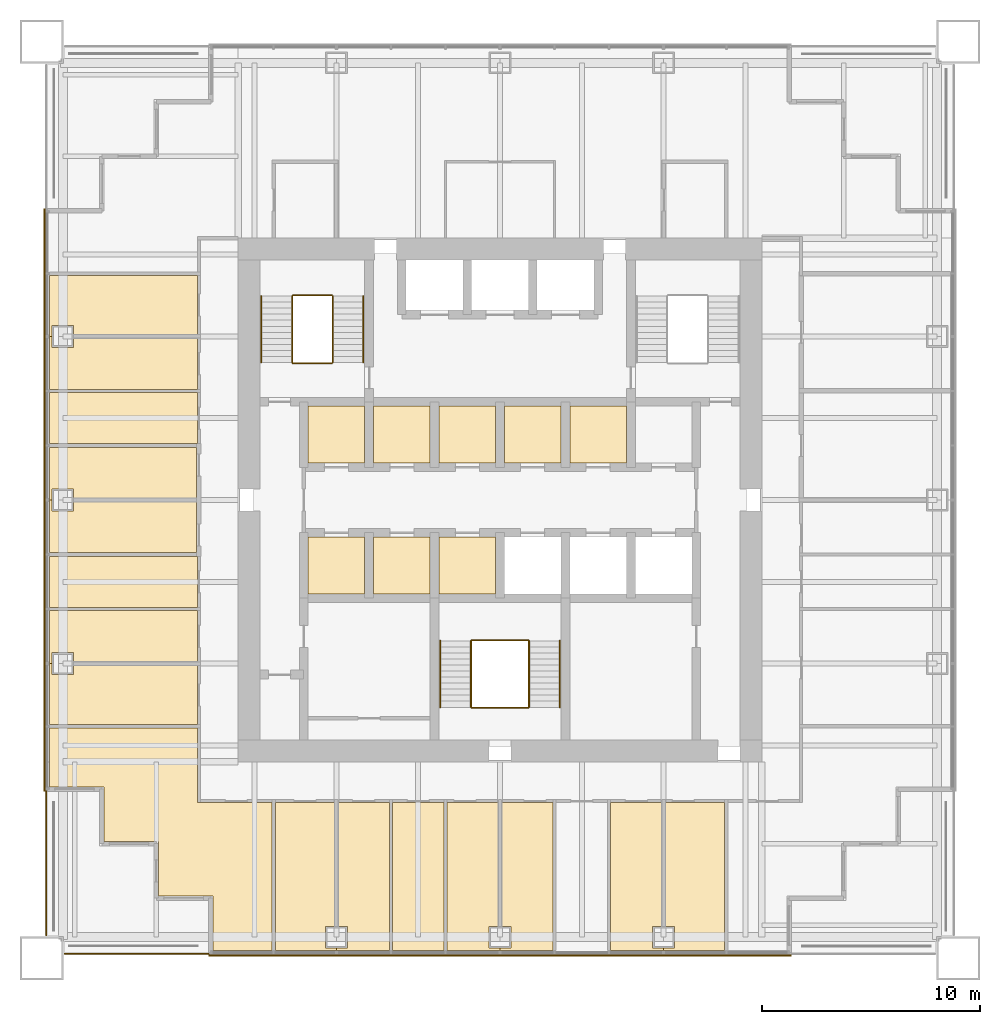
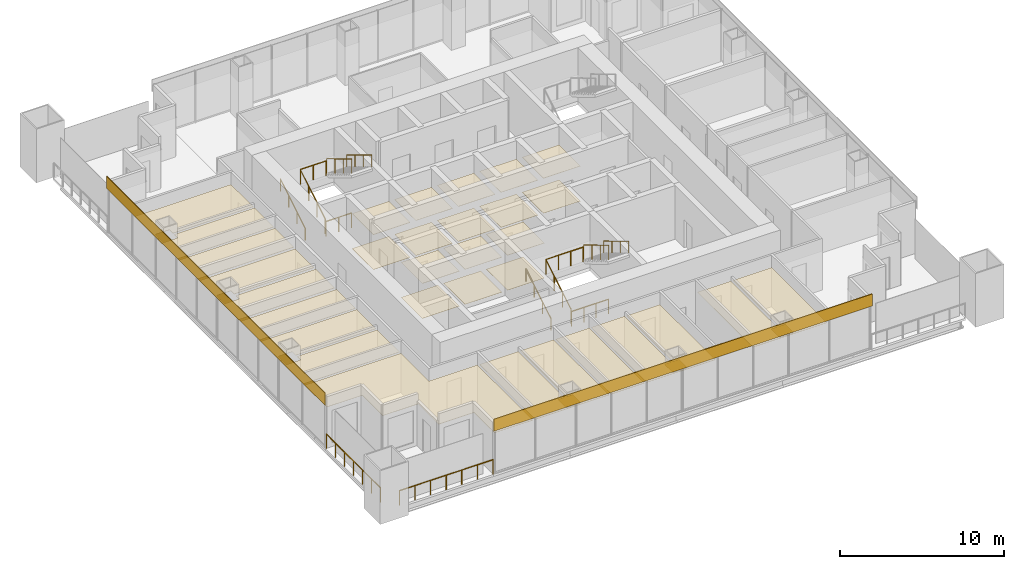
# One storey, part 14 of 15: 34 coverings, 14 railings.
"""IFC4 building model written with IfcOpenShell, lengths in metres."""

from ifc_helpers import new_model, si_unit, direction, frame, origin, origin_2d, place, context, subcontext, project, spatial, polyline, rectangle, circle, outline, extrude, material, layer, layer_set, type_object, element, save


model = new_model("IFC4")

# Units and contexts
model_context = context("Model", 3, precision=1e-05, world=origin(), true_north=direction((0.0, 1.0)))
body_context = subcontext(model_context, "Body", "Model", "MODEL_VIEW")
ifc_project = project(units=[si_unit("LENGTHUNIT", "METRE"), si_unit("AREAUNIT", "SQUARE_METRE"), si_unit("VOLUMEUNIT", "CUBIC_METRE"), si_unit("PLANEANGLEUNIT", "RADIAN"), si_unit("MASSUNIT", "GRAM", prefix="KILO")], contexts=[model_context])

# Site, building, storey
site_placement = place(None, origin())
site = spatial("IfcSite", under=ifc_project, at=site_placement, CompositionType="ELEMENT")
building_placement = place(site_placement, origin())
building = spatial("IfcBuilding", under=site, at=building_placement, Name="Tarangal Relay Tower", CompositionType="ELEMENT")
storey_placement = place(building_placement, frame((0.0, 0.0, 299.89990234375)))
storey = spatial("IfcBuildingStorey", under=building, at=storey_placement, Name="L66", CompositionType="ELEMENT", Elevation=299.89990234375)

# Coverings
ifc_material_1 = material(Name="Anti-static vinyl flooring", Category="plastic")
ifc_layer_1 = layer(ifc_material_1, 0.010009765625)
ifc_layer_set_1 = layer_set([ifc_layer_1], Name="Anti-static vinyl floor")
covering_type_1 = type_object("IfcCoveringType", Name="Anti-static vinyl floor", PredefinedType="FLOORING", material=ifc_layer_set_1)
covering_1_placement = place(storey_placement, origin())
element("IfcCovering", 1, at=covering_1_placement, inside=storey, type_object=covering_type_1, Name="Floor finish FL1 L66-D1", PredefinedType="FLOORING", context=body_context, shape_type="SweptSolid", body=[
    extrude(outline(polyline([(-8.800048828125, 1.699951171875), (-6.199951171875, 1.699951171875), (-6.199951171875, 4.300048828125), (-8.800048828125, 4.300048828125), (-8.800048828125, 1.699951171875)])), origin(), (0.0, 0.0, 1.0), 0.010009765625),
])
covering_2_placement = place(storey_placement, origin())
element("IfcCovering", 2, at=covering_2_placement, inside=storey, type_object=covering_type_1, Name="Floor finish FL1 L66-D2", PredefinedType="FLOORING", context=body_context, shape_type="SweptSolid", body=[
    extrude(outline(polyline([(-5.800048828125, 1.699951171875), (-3.199951171875, 1.699951171875), (-3.199951171875, 4.300048828125), (-5.800048828125, 4.300048828125), (-5.800048828125, 1.699951171875)])), origin(), (0.0, 0.0, 1.0), 0.010009765625),
])
covering_3_placement = place(storey_placement, origin())
element("IfcCovering", 3, at=covering_3_placement, inside=storey, type_object=covering_type_1, Name="Floor finish FL1 L66-D3", PredefinedType="FLOORING", context=body_context, shape_type="SweptSolid", body=[
    extrude(outline(polyline([(-2.800048828125, 1.699951171875), (-0.199951171875, 1.699951171875), (-0.199951171875, 4.300048828125), (-2.800048828125, 4.300048828125), (-2.800048828125, 1.699951171875)])), origin(), (0.0, 0.0, 1.0), 0.010009765625),
])
covering_4_placement = place(storey_placement, origin())
element("IfcCovering", 4, at=covering_4_placement, inside=storey, type_object=covering_type_1, Name="Floor finish FL1 L66-T1", PredefinedType="FLOORING", context=body_context, shape_type="SweptSolid", body=[
    extrude(outline(polyline([(0.199951171875, 1.699951171875), (2.800048828125, 1.699951171875), (2.800048828125, 4.300048828125), (0.199951171875, 4.300048828125), (0.199951171875, 1.699951171875)])), origin(), (0.0, 0.0, 1.0), 0.010009765625),
])
covering_5_placement = place(storey_placement, origin())
element("IfcCovering", 5, at=covering_5_placement, inside=storey, type_object=covering_type_1, Name="Floor finish FL1 L66-T2", PredefinedType="FLOORING", context=body_context, shape_type="SweptSolid", body=[
    extrude(outline(polyline([(3.199951171875, 1.699951171875), (5.800048828125, 1.699951171875), (5.800048828125, 4.300048828125), (3.199951171875, 4.300048828125), (3.199951171875, 1.699951171875)])), origin(), (0.0, 0.0, 1.0), 0.010009765625),
])
covering_6_placement = place(storey_placement, origin())
element("IfcCovering", 6, at=covering_6_placement, inside=storey, type_object=covering_type_1, Name="Floor finish FL1 L66-S1", PredefinedType="FLOORING", context=body_context, shape_type="SweptSolid", body=[
    extrude(outline(polyline([(-8.800048828125, -4.300048828125), (-6.199951171875, -4.300048828125), (-6.199951171875, -1.699951171875), (-8.800048828125, -1.699951171875), (-8.800048828125, -4.300048828125)])), origin(), (0.0, 0.0, 1.0), 0.010009765625),
])
covering_7_placement = place(storey_placement, origin())
element("IfcCovering", 7, at=covering_7_placement, inside=storey, type_object=covering_type_1, Name="Floor finish FL1 L66-S2", PredefinedType="FLOORING", context=body_context, shape_type="SweptSolid", body=[
    extrude(outline(polyline([(-5.800048828125, -4.300048828125), (-3.199951171875, -4.300048828125), (-3.199951171875, -1.699951171875), (-5.800048828125, -1.699951171875), (-5.800048828125, -4.300048828125)])), origin(), (0.0, 0.0, 1.0), 0.010009765625),
])
covering_8_placement = place(storey_placement, origin())
element("IfcCovering", 8, at=covering_8_placement, inside=storey, type_object=covering_type_1, Name="Floor finish FL1 L66-S3", PredefinedType="FLOORING", context=body_context, shape_type="SweptSolid", body=[
    extrude(outline(polyline([(-2.800048828125, -4.300048828125), (-0.199951171875, -4.300048828125), (-0.199951171875, -1.699951171875), (-2.800048828125, -1.699951171875), (-2.800048828125, -4.300048828125)])), origin(), (0.0, 0.0, 1.0), 0.010009765625),
])
ifc_material_2 = material(Name="Black anodised aluminium cladding", Category="aluminium")
ifc_layer_2 = layer(ifc_material_2, 0.050048828125)
ifc_layer_set_2 = layer_set([ifc_layer_2], Name="Black metal spandrel band")
covering_type_2 = type_object("IfcCoveringType", Name="Black metal spandrel band", PredefinedType="CLADDING", material=ifc_layer_set_2)
for number, where, z_axis, x_axis, name in (
    (9, (0.0, -20.875, 3.250244140625), (0.0, 0.0, 1.0), (-1.0, 0.0, 0.0), "Spandrel band SB1 S L66"),
    (10, (-20.875, 0.0, 3.250244140625), (0.0, 0.0, 1.0), (0.0, 1.0, 0.0), "Spandrel band SB1 W L66"),
):
    element("IfcCovering", number, at=place(storey_placement, frame(where, z_axis=z_axis, x_axis=x_axis)), inside=storey, type_object=covering_type_2, Name=name, PredefinedType="CLADDING", context=body_context, shape_type="SweptSolid", body=[
        extrude(rectangle(XDim=26.699951171875, YDim=0.050048828125, at=origin_2d()), origin(), (0.0, 0.0, 1.0), 0.89990234375),
    ])

# Railings
ifc_material_3 = material(Name="Steel guard, black finish", Category="steel")
railing_type_1 = type_object("IfcRailingType", Name="Stair guard 1100", PredefinedType="GUARDRAIL", material=ifc_material_3)
railing_1_placement = place(storey_placement, frame((-9.530029296875, 6.300048828125, 0.166748046875)))
element("IfcRailing", 11, at=railing_1_placement, inside=storey, type_object=railing_type_1, Name="Stair ST-A guard GR1 L66 flight 1", PredefinedType="GUARDRAIL", context=body_context, shape_type="SweptSolid", body=[
    extrude(circle(Radius=0.02392578125, at=origin_2d()), frame((0.0, 0.0, 1.076171875), z_axis=(0.0, 0.85685617095, 0.515555527858), x_axis=(-1.0, 0.0, 0.0)), (0.0, 0.0, 1.0), 3.555908203125),
    extrude(circle(Radius=0.02099609375, at=origin_2d()), origin(), (0.0, 0.0, 1.0), 1.052001953125),
    extrude(circle(Radius=0.02099609375, at=origin_2d()), frame((0.0, 1.015625, 0.611083984375)), (0.0, 0.0, 1.0), 1.052001953125),
    extrude(circle(Radius=0.02099609375, at=origin_2d()), frame((0.0, 2.03125, 1.22216796875)), (0.0, 0.0, 1.0), 1.052001953125),
    extrude(circle(Radius=0.02099609375, at=origin_2d()), frame((0.0, 3.046875, 1.833251953125)), (0.0, 0.0, 1.0), 1.052001953125),
])
railing_2_placement = place(storey_placement, frame((-7.669921875, 9.346923828125, 2.166748046875)))
element("IfcRailing", 12, at=railing_2_placement, inside=storey, type_object=railing_type_1, Name="Stair ST-A guard GR1 L66 flight 2", PredefinedType="GUARDRAIL", context=body_context, shape_type="SweptSolid", body=[
    extrude(circle(Radius=0.02392578125, at=origin_2d()), frame((0.0, 0.0, 1.076171875), z_axis=(0.0, -0.85685617095, 0.515555527858), x_axis=(1.0, 0.0, 0.0)), (0.0, 0.0, 1.0), 3.555908203125),
    extrude(circle(Radius=0.02099609375, at=origin_2d()), origin(), (0.0, 0.0, 1.0), 1.052001953125),
    extrude(circle(Radius=0.02099609375, at=origin_2d()), frame((0.0, -1.015625, 0.611083984375)), (0.0, 0.0, 1.0), 1.052001953125),
    extrude(circle(Radius=0.02099609375, at=origin_2d()), frame((0.0, -2.03125, 1.22216796875)), (0.0, 0.0, 1.0), 1.052001953125),
    extrude(circle(Radius=0.02099609375, at=origin_2d()), frame((0.0, -3.046875, 1.833251953125)), (0.0, 0.0, 1.0), 1.052001953125),
])
for number, where, name in (
    (13, (-9.5, 6.27001953125, 0.0), "Stair ST-A landing guard GR1 L66"),
    (14, (-9.5, 9.376953125, 2.0), "Stair ST-A landing guard GR1 L66"),
):
    element("IfcRailing", number, at=place(storey_placement, frame(where)), inside=storey, type_object=railing_type_1, Name=name, PredefinedType="GUARDRAIL", context=body_context, shape_type="SweptSolid", body=[
        extrude(circle(Radius=0.02392578125, at=origin_2d()), frame((0.0, 0.0, 1.076171875), z_axis=(1.0, 0.0, 0.0), x_axis=(0.0, 1.0, 0.0)), (0.0, 0.0, 1.0), 1.800048828125),
        extrude(circle(Radius=0.02099609375, at=origin_2d()), origin(), (0.0, 0.0, 1.0), 1.052001953125),
        extrude(circle(Radius=0.02099609375, at=origin_2d()), frame((0.89990234375, 0.0, 0.0)), (0.0, 0.0, 1.0), 1.052001953125),
        extrude(circle(Radius=0.02099609375, at=origin_2d()), frame((1.800048828125, 0.0, 0.0)), (0.0, 0.0, 1.0), 1.052001953125),
    ])
railing_3_placement = place(storey_placement, frame((-1.330078125, -9.5, 0.166748046875)))
element("IfcRailing", 15, at=railing_3_placement, inside=storey, type_object=railing_type_1, Name="Stair ST-C guard GR1 L66 flight 1", PredefinedType="GUARDRAIL", context=body_context, shape_type="SweptSolid", body=[
    extrude(circle(Radius=0.02392578125, at=origin_2d()), frame((0.0, 0.0, 1.076171875), z_axis=(0.0, 0.856874418557, 0.515525199018), x_axis=(-1.0, 0.0, 0.0)), (0.0, 0.0, 1.0), 3.55615234375),
    extrude(circle(Radius=0.02099609375, at=origin_2d()), origin(), (0.0, 0.0, 1.0), 1.052001953125),
    extrude(circle(Radius=0.02099609375, at=origin_2d()), frame((0.0, 1.015625, 0.611083984375)), (0.0, 0.0, 1.0), 1.052001953125),
    extrude(circle(Radius=0.02099609375, at=origin_2d()), frame((0.0, 2.031494140625, 1.22216796875)), (0.0, 0.0, 1.0), 1.052001953125),
    extrude(circle(Radius=0.02099609375, at=origin_2d()), frame((0.0, 3.047119140625, 1.833251953125)), (0.0, 0.0, 1.0), 1.052001953125),
])
railing_4_placement = place(storey_placement, frame((1.330078125, -6.452880859375, 2.166748046875)))
element("IfcRailing", 16, at=railing_4_placement, inside=storey, type_object=railing_type_1, Name="Stair ST-C guard GR1 L66 flight 2", PredefinedType="GUARDRAIL", context=body_context, shape_type="SweptSolid", body=[
    extrude(circle(Radius=0.02392578125, at=origin_2d()), frame((0.0, 0.0, 1.076171875), z_axis=(0.0, -0.856874418557, 0.515525199018), x_axis=(1.0, 0.0, 0.0)), (0.0, 0.0, 1.0), 3.55615234375),
    extrude(circle(Radius=0.02099609375, at=origin_2d()), origin(), (0.0, 0.0, 1.0), 1.052001953125),
    extrude(circle(Radius=0.02099609375, at=origin_2d()), frame((0.0, -1.015625, 0.611083984375)), (0.0, 0.0, 1.0), 1.052001953125),
    extrude(circle(Radius=0.02099609375, at=origin_2d()), frame((0.0, -2.031494140625, 1.22216796875)), (0.0, 0.0, 1.0), 1.052001953125),
    extrude(circle(Radius=0.02099609375, at=origin_2d()), frame((0.0, -3.047119140625, 1.833251953125)), (0.0, 0.0, 1.0), 1.052001953125),
])
for number, where, name in (
    (17, (-1.300048828125, -9.530029296875, 0.0), "Stair ST-C landing guard GR1 L66"),
    (18, (-1.300048828125, -6.423095703125, 2.0), "Stair ST-C landing guard GR1 L66"),
):
    element("IfcRailing", number, at=place(storey_placement, frame(where)), inside=storey, type_object=railing_type_1, Name=name, PredefinedType="GUARDRAIL", context=body_context, shape_type="SweptSolid", body=[
        extrude(circle(Radius=0.02392578125, at=origin_2d()), frame((0.0, 0.0, 1.076171875), z_axis=(1.0, 0.0, 0.0), x_axis=(0.0, 1.0, 0.0)), (0.0, 0.0, 1.0), 2.60009765625),
        extrude(circle(Radius=0.02099609375, at=origin_2d()), origin(), (0.0, 0.0, 1.0), 1.052001953125),
        extrude(circle(Radius=0.02099609375, at=origin_2d()), frame((0.86669921875, 0.0, 0.0)), (0.0, 0.0, 1.0), 1.052001953125),
        extrude(circle(Radius=0.02099609375, at=origin_2d()), frame((1.7333984375, 0.0, 0.0)), (0.0, 0.0, 1.0), 1.052001953125),
        extrude(circle(Radius=0.02099609375, at=origin_2d()), frame((2.60009765625, 0.0, 0.0)), (0.0, 0.0, 1.0), 1.052001953125),
    ])
ifc_material_4 = material(Name="Steel handrail, black finish", Category="steel")
railing_type_2 = type_object("IfcRailingType", Name="Stair handrail 900", PredefinedType="HANDRAIL", material=ifc_material_4)
railing_5_placement = place(storey_placement, frame((-10.93994140625, 6.300048828125, 0.166748046875)))
element("IfcRailing", 19, at=railing_5_placement, inside=storey, type_object=railing_type_2, Name="Stair ST-A handrail HR1 L66 flight 1", PredefinedType="HANDRAIL", context=body_context, shape_type="SweptSolid", body=[
    extrude(circle(Radius=0.02392578125, at=origin_2d()), frame((0.0, 0.0, 0.8759765625), z_axis=(0.0, 0.85685617095, 0.515555527858), x_axis=(-1.0, 0.0, 0.0)), (0.0, 0.0, 1.0), 3.555908203125),
    extrude(circle(Radius=0.02099609375, at=origin_2d()), origin(), (0.0, 0.0, 1.0), 0.851806640625),
    extrude(circle(Radius=0.02099609375, at=origin_2d()), frame((0.0, 1.015625, 0.611083984375)), (0.0, 0.0, 1.0), 0.851806640625),
    extrude(circle(Radius=0.02099609375, at=origin_2d()), frame((0.0, 2.03125, 1.22216796875)), (0.0, 0.0, 1.0), 0.851806640625),
    extrude(circle(Radius=0.02099609375, at=origin_2d()), frame((0.0, 3.046875, 1.833251953125)), (0.0, 0.0, 1.0), 0.851806640625),
])
railing_6_placement = place(storey_placement, frame((-6.260009765625, 9.346923828125, 2.166748046875)))
element("IfcRailing", 20, at=railing_6_placement, inside=storey, type_object=railing_type_2, Name="Stair ST-A handrail HR1 L66 flight 2", PredefinedType="HANDRAIL", context=body_context, shape_type="SweptSolid", body=[
    extrude(circle(Radius=0.02392578125, at=origin_2d()), frame((0.0, 0.0, 0.8759765625), z_axis=(0.0, -0.85685617095, 0.515555527858), x_axis=(1.0, 0.0, 0.0)), (0.0, 0.0, 1.0), 3.555908203125),
    extrude(circle(Radius=0.02099609375, at=origin_2d()), origin(), (0.0, 0.0, 1.0), 0.851806640625),
    extrude(circle(Radius=0.02099609375, at=origin_2d()), frame((0.0, -1.015625, 0.611083984375)), (0.0, 0.0, 1.0), 0.851806640625),
    extrude(circle(Radius=0.02099609375, at=origin_2d()), frame((0.0, -2.03125, 1.22216796875)), (0.0, 0.0, 1.0), 0.851806640625),
    extrude(circle(Radius=0.02099609375, at=origin_2d()), frame((0.0, -3.046875, 1.833251953125)), (0.0, 0.0, 1.0), 0.851806640625),
])
railing_7_placement = place(storey_placement, frame((-2.739990234375, -9.5, 0.166748046875)))
element("IfcRailing", 21, at=railing_7_placement, inside=storey, type_object=railing_type_2, Name="Stair ST-C handrail HR1 L66 flight 1", PredefinedType="HANDRAIL", context=body_context, shape_type="SweptSolid", body=[
    extrude(circle(Radius=0.02392578125, at=origin_2d()), frame((0.0, 0.0, 0.8759765625), z_axis=(0.0, 0.856874418557, 0.515525199018), x_axis=(-1.0, 0.0, 0.0)), (0.0, 0.0, 1.0), 3.55615234375),
    extrude(circle(Radius=0.02099609375, at=origin_2d()), origin(), (0.0, 0.0, 1.0), 0.851806640625),
    extrude(circle(Radius=0.02099609375, at=origin_2d()), frame((0.0, 1.015625, 0.611083984375)), (0.0, 0.0, 1.0), 0.851806640625),
    extrude(circle(Radius=0.02099609375, at=origin_2d()), frame((0.0, 2.031494140625, 1.22216796875)), (0.0, 0.0, 1.0), 0.851806640625),
    extrude(circle(Radius=0.02099609375, at=origin_2d()), frame((0.0, 3.047119140625, 1.833251953125)), (0.0, 0.0, 1.0), 0.851806640625),
])
railing_8_placement = place(storey_placement, frame((2.739990234375, -6.452880859375, 2.166748046875)))
element("IfcRailing", 22, at=railing_8_placement, inside=storey, type_object=railing_type_2, Name="Stair ST-C handrail HR1 L66 flight 2", PredefinedType="HANDRAIL", context=body_context, shape_type="SweptSolid", body=[
    extrude(circle(Radius=0.02392578125, at=origin_2d()), frame((0.0, 0.0, 0.8759765625), z_axis=(0.0, -0.856874418557, 0.515525199018), x_axis=(1.0, 0.0, 0.0)), (0.0, 0.0, 1.0), 3.55615234375),
    extrude(circle(Radius=0.02099609375, at=origin_2d()), origin(), (0.0, 0.0, 1.0), 0.851806640625),
    extrude(circle(Radius=0.02099609375, at=origin_2d()), frame((0.0, -1.015625, 0.611083984375)), (0.0, 0.0, 1.0), 0.851806640625),
    extrude(circle(Radius=0.02099609375, at=origin_2d()), frame((0.0, -2.031494140625, 1.22216796875)), (0.0, 0.0, 1.0), 0.851806640625),
    extrude(circle(Radius=0.02099609375, at=origin_2d()), frame((0.0, -3.047119140625, 1.833251953125)), (0.0, 0.0, 1.0), 0.851806640625),
])

# Coverings
ifc_material_5 = material(Name="Mineral fibre ceiling tiles", Category="gypsum")
ifc_layer_3 = layer(ifc_material_5, 0.02001953125)
ifc_layer_set_3 = layer_set([ifc_layer_3], Name="Suspended ceiling")
covering_type_3 = type_object("IfcCoveringType", Name="Suspended ceiling", PredefinedType="CEILING", material=ifc_layer_set_3)
covering_9_placement = place(storey_placement, frame((0.0, 0.0, 2.60009765625)))
element("IfcCovering", 23, at=covering_9_placement, inside=storey, type_object=covering_type_3, Name="Suspended ceiling CL1 L66-D1", PredefinedType="CEILING", context=body_context, shape_type="SweptSolid", body=[
    extrude(outline(polyline([(-8.800048828125, 1.699951171875), (-6.199951171875, 1.699951171875), (-6.199951171875, 4.300048828125), (-8.800048828125, 4.300048828125), (-8.800048828125, 1.699951171875)])), origin(), (0.0, 0.0, 1.0), 0.02001953125),
])
covering_10_placement = place(storey_placement, frame((0.0, 0.0, 2.60009765625)))
element("IfcCovering", 24, at=covering_10_placement, inside=storey, type_object=covering_type_3, Name="Suspended ceiling CL1 L66-D2", PredefinedType="CEILING", context=body_context, shape_type="SweptSolid", body=[
    extrude(outline(polyline([(-5.800048828125, 1.699951171875), (-3.199951171875, 1.699951171875), (-3.199951171875, 4.300048828125), (-5.800048828125, 4.300048828125), (-5.800048828125, 1.699951171875)])), origin(), (0.0, 0.0, 1.0), 0.02001953125),
])
covering_11_placement = place(storey_placement, frame((0.0, 0.0, 2.60009765625)))
element("IfcCovering", 25, at=covering_11_placement, inside=storey, type_object=covering_type_3, Name="Suspended ceiling CL1 L66-D3", PredefinedType="CEILING", context=body_context, shape_type="SweptSolid", body=[
    extrude(outline(polyline([(-2.800048828125, 1.699951171875), (-0.199951171875, 1.699951171875), (-0.199951171875, 4.300048828125), (-2.800048828125, 4.300048828125), (-2.800048828125, 1.699951171875)])), origin(), (0.0, 0.0, 1.0), 0.02001953125),
])
covering_12_placement = place(storey_placement, frame((0.0, 0.0, 2.60009765625)))
element("IfcCovering", 26, at=covering_12_placement, inside=storey, type_object=covering_type_3, Name="Suspended ceiling CL1 L66-T1", PredefinedType="CEILING", context=body_context, shape_type="SweptSolid", body=[
    extrude(outline(polyline([(0.199951171875, 1.699951171875), (2.800048828125, 1.699951171875), (2.800048828125, 4.300048828125), (0.199951171875, 4.300048828125), (0.199951171875, 1.699951171875)])), origin(), (0.0, 0.0, 1.0), 0.02001953125),
])
covering_13_placement = place(storey_placement, frame((0.0, 0.0, 2.60009765625)))
element("IfcCovering", 27, at=covering_13_placement, inside=storey, type_object=covering_type_3, Name="Suspended ceiling CL1 L66-T2", PredefinedType="CEILING", context=body_context, shape_type="SweptSolid", body=[
    extrude(outline(polyline([(3.199951171875, 1.699951171875), (5.800048828125, 1.699951171875), (5.800048828125, 4.300048828125), (3.199951171875, 4.300048828125), (3.199951171875, 1.699951171875)])), origin(), (0.0, 0.0, 1.0), 0.02001953125),
])
covering_14_placement = place(storey_placement, frame((0.0, 0.0, 2.60009765625)))
element("IfcCovering", 28, at=covering_14_placement, inside=storey, type_object=covering_type_3, Name="Suspended ceiling CL1 L66-S1", PredefinedType="CEILING", context=body_context, shape_type="SweptSolid", body=[
    extrude(outline(polyline([(-8.800048828125, -4.300048828125), (-6.199951171875, -4.300048828125), (-6.199951171875, -1.699951171875), (-8.800048828125, -1.699951171875), (-8.800048828125, -4.300048828125)])), origin(), (0.0, 0.0, 1.0), 0.02001953125),
])
covering_15_placement = place(storey_placement, frame((0.0, 0.0, 2.60009765625)))
element("IfcCovering", 29, at=covering_15_placement, inside=storey, type_object=covering_type_3, Name="Suspended ceiling CL1 L66-S2", PredefinedType="CEILING", context=body_context, shape_type="SweptSolid", body=[
    extrude(outline(polyline([(-5.800048828125, -4.300048828125), (-3.199951171875, -4.300048828125), (-3.199951171875, -1.699951171875), (-5.800048828125, -1.699951171875), (-5.800048828125, -4.300048828125)])), origin(), (0.0, 0.0, 1.0), 0.02001953125),
])
covering_16_placement = place(storey_placement, frame((0.0, 0.0, 2.60009765625)))
element("IfcCovering", 30, at=covering_16_placement, inside=storey, type_object=covering_type_3, Name="Suspended ceiling CL1 L66-S3", PredefinedType="CEILING", context=body_context, shape_type="SweptSolid", body=[
    extrude(outline(polyline([(-2.800048828125, -4.300048828125), (-0.199951171875, -4.300048828125), (-0.199951171875, -1.699951171875), (-2.800048828125, -1.699951171875), (-2.800048828125, -4.300048828125)])), origin(), (0.0, 0.0, 1.0), 0.02001953125),
])
covering_17_placement = place(storey_placement, frame((0.0, 0.0, 2.900146484375)))
element("IfcCovering", 31, at=covering_17_placement, inside=storey, type_object=covering_type_3, Name="Suspended ceiling CL1 L66-10", PredefinedType="CEILING", context=body_context, shape_type="SweptSolid", body=[
    extrude(outline(polyline([(7.5, -20.64990234375), (10.300048828125, -20.64990234375), (10.300048828125, -13.875), (7.574951171875, -13.875), (7.574951171875, -19.5400390625), (8.0, -19.5400390625), (8.0, -20.5400390625), (7.5, -20.5400390625), (7.5, -20.64990234375)])), origin(), (0.0, 0.0, 1.0), 0.02001953125),
])
covering_18_placement = place(storey_placement, frame((0.0, 0.0, 2.900146484375)))
element("IfcCovering", 32, at=covering_18_placement, inside=storey, type_object=covering_type_3, Name="Suspended ceiling CL1 L66-11", PredefinedType="CEILING", context=body_context, shape_type="SweptSolid", body=[
    extrude(outline(polyline([(5.074951171875, -20.64990234375), (7.5, -20.64990234375), (7.5, -20.5400390625), (7.0, -20.5400390625), (7.0, -19.5400390625), (7.425048828125, -19.5400390625), (7.425048828125, -13.875), (5.074951171875, -13.875), (5.074951171875, -20.64990234375)])), origin(), (0.0, 0.0, 1.0), 0.02001953125),
])
covering_19_placement = place(storey_placement, frame((0.0, 0.0, 2.900146484375)))
element("IfcCovering", 33, at=covering_19_placement, inside=storey, type_object=covering_type_3, Name="Suspended ceiling CL1 L66-13", PredefinedType="CEILING", context=body_context, shape_type="SweptSolid", body=[
    extrude(outline(polyline([(0.0, -20.64990234375), (2.425048828125, -20.64990234375), (2.425048828125, -13.875), (0.074951171875, -13.875), (0.074951171875, -19.5400390625), (0.5, -19.5400390625), (0.5, -20.5400390625), (0.0, -20.5400390625), (0.0, -20.64990234375)])), origin(), (0.0, 0.0, 1.0), 0.02001953125),
])
covering_20_placement = place(storey_placement, frame((0.0, 0.0, 2.900146484375)))
element("IfcCovering", 34, at=covering_20_placement, inside=storey, type_object=covering_type_3, Name="Suspended ceiling CL1 L66-14", PredefinedType="CEILING", context=body_context, shape_type="SweptSolid", body=[
    extrude(outline(polyline([(-2.425048828125, -20.64990234375), (0.0, -20.64990234375), (0.0, -20.5400390625), (-0.5, -20.5400390625), (-0.5, -19.5400390625), (-0.074951171875, -19.5400390625), (-0.074951171875, -13.875), (-2.425048828125, -13.875), (-2.425048828125, -20.64990234375)])), origin(), (0.0, 0.0, 1.0), 0.02001953125),
])
covering_21_placement = place(storey_placement, frame((0.0, 0.0, 2.900146484375)))
element("IfcCovering", 35, at=covering_21_placement, inside=storey, type_object=covering_type_3, Name="Suspended ceiling CL1 L66-15", PredefinedType="CEILING", context=body_context, shape_type="SweptSolid", body=[
    extrude(outline(polyline([(-2.574951171875, -20.64990234375), (-2.574951171875, -13.875), (-4.925048828125, -13.875), (-4.925048828125, -20.64990234375), (-2.574951171875, -20.64990234375)])), origin(), (0.0, 0.0, 1.0), 0.02001953125),
])
covering_22_placement = place(storey_placement, frame((0.0, 0.0, 2.900146484375)))
element("IfcCovering", 36, at=covering_22_placement, inside=storey, type_object=covering_type_3, Name="Suspended ceiling CL1 L66-16", PredefinedType="CEILING", context=body_context, shape_type="SweptSolid", body=[
    extrude(outline(polyline([(-7.5, -20.64990234375), (-5.074951171875, -20.64990234375), (-5.074951171875, -13.875), (-7.425048828125, -13.875), (-7.425048828125, -19.5400390625), (-7.0, -19.5400390625), (-7.0, -20.5400390625), (-7.5, -20.5400390625), (-7.5, -20.64990234375)])), origin(), (0.0, 0.0, 1.0), 0.02001953125),
])
covering_23_placement = place(storey_placement, frame((0.0, 0.0, 2.900146484375)))
element("IfcCovering", 37, at=covering_23_placement, inside=storey, type_object=covering_type_3, Name="Suspended ceiling CL1 L66-17", PredefinedType="CEILING", context=body_context, shape_type="SweptSolid", body=[
    extrude(outline(polyline([(-10.300048828125, -20.64990234375), (-7.5, -20.64990234375), (-7.5, -20.5400390625), (-8.0, -20.5400390625), (-8.0, -19.5400390625), (-7.574951171875, -19.5400390625), (-7.574951171875, -13.875), (-10.300048828125, -13.875), (-10.300048828125, -20.64990234375)])), origin(), (0.0, 0.0, 1.0), 0.02001953125),
])
covering_24_placement = place(storey_placement, frame((0.0, 0.0, 2.900146484375)))
element("IfcCovering", 38, at=covering_24_placement, inside=storey, type_object=covering_type_3, Name="Suspended ceiling CL1 L66-18", PredefinedType="CEILING", context=body_context, shape_type="SweptSolid", body=[
    extrude(outline(polyline([(-20.64990234375, -7.5), (-20.64990234375, -10.300048828125), (-13.875, -10.300048828125), (-13.875, -7.574951171875), (-19.5400390625, -7.574951171875), (-19.5400390625, -8.0), (-20.5400390625, -8.0), (-20.5400390625, -7.5), (-20.64990234375, -7.5)])), origin(), (0.0, 0.0, 1.0), 0.02001953125),
])
covering_25_placement = place(storey_placement, frame((0.0, 0.0, 2.900146484375)))
element("IfcCovering", 39, at=covering_25_placement, inside=storey, type_object=covering_type_3, Name="Suspended ceiling CL1 L66-19", PredefinedType="CEILING", context=body_context, shape_type="SweptSolid", body=[
    extrude(outline(polyline([(-20.64990234375, -5.074951171875), (-20.64990234375, -7.5), (-20.5400390625, -7.5), (-20.5400390625, -7.0), (-19.5400390625, -7.0), (-19.5400390625, -7.425048828125), (-13.875, -7.425048828125), (-13.875, -5.074951171875), (-20.64990234375, -5.074951171875)])), origin(), (0.0, 0.0, 1.0), 0.02001953125),
])
covering_26_placement = place(storey_placement, frame((0.0, 0.0, 2.900146484375)))
element("IfcCovering", 40, at=covering_26_placement, inside=storey, type_object=covering_type_3, Name="Suspended ceiling CL1 L66-20", PredefinedType="CEILING", context=body_context, shape_type="SweptSolid", body=[
    extrude(outline(polyline([(-20.64990234375, -4.925048828125), (-13.875, -4.925048828125), (-13.875, -2.60009765625), (-20.64990234375, -2.60009765625), (-20.64990234375, -4.925048828125)])), origin(), (0.0, 0.0, 1.0), 0.02001953125),
])
covering_27_placement = place(storey_placement, frame((0.0, 0.0, 2.900146484375)))
element("IfcCovering", 41, at=covering_27_placement, inside=storey, type_object=covering_type_3, Name="Suspended ceiling CL1 L66-21", PredefinedType="CEILING", context=body_context, shape_type="SweptSolid", body=[
    extrude(outline(polyline([(-20.64990234375, 0.0), (-20.64990234375, -2.39990234375), (-13.89990234375, -2.39990234375), (-13.89990234375, -0.10009765625), (-19.5400390625, -0.10009765625), (-19.5400390625, -0.5), (-20.5400390625, -0.5), (-20.5400390625, 0.0), (-20.64990234375, 0.0)])), origin(), (0.0, 0.0, 1.0), 0.02001953125),
])
covering_28_placement = place(storey_placement, frame((0.0, 0.0, 2.900146484375)))
element("IfcCovering", 42, at=covering_28_placement, inside=storey, type_object=covering_type_3, Name="Suspended ceiling CL1 L66-22", PredefinedType="CEILING", context=body_context, shape_type="SweptSolid", body=[
    extrude(outline(polyline([(-20.64990234375, 2.39990234375), (-20.64990234375, 0.0), (-20.5400390625, 0.0), (-20.5400390625, 0.5), (-19.5400390625, 0.5), (-19.5400390625, 0.10009765625), (-13.89990234375, 0.10009765625), (-13.89990234375, 2.39990234375), (-20.64990234375, 2.39990234375)])), origin(), (0.0, 0.0, 1.0), 0.02001953125),
])
covering_29_placement = place(storey_placement, frame((0.0, 0.0, 2.900146484375)))
element("IfcCovering", 43, at=covering_29_placement, inside=storey, type_object=covering_type_3, Name="Suspended ceiling CL1 L66-23", PredefinedType="CEILING", context=body_context, shape_type="SweptSolid", body=[
    extrude(outline(polyline([(-20.64990234375, 2.60009765625), (-13.875, 2.60009765625), (-13.875, 4.925048828125), (-20.64990234375, 4.925048828125), (-20.64990234375, 2.60009765625)])), origin(), (0.0, 0.0, 1.0), 0.02001953125),
])
covering_30_placement = place(storey_placement, frame((0.0, 0.0, 2.900146484375)))
element("IfcCovering", 44, at=covering_30_placement, inside=storey, type_object=covering_type_3, Name="Suspended ceiling CL1 L66-24", PredefinedType="CEILING", context=body_context, shape_type="SweptSolid", body=[
    extrude(outline(polyline([(-20.64990234375, 7.5), (-20.64990234375, 5.074951171875), (-13.875, 5.074951171875), (-13.875, 7.425048828125), (-19.5400390625, 7.425048828125), (-19.5400390625, 7.0), (-20.5400390625, 7.0), (-20.5400390625, 7.5), (-20.64990234375, 7.5)])), origin(), (0.0, 0.0, 1.0), 0.02001953125),
])
covering_31_placement = place(storey_placement, frame((0.0, 0.0, 2.900146484375)))
element("IfcCovering", 45, at=covering_31_placement, inside=storey, type_object=covering_type_3, Name="Suspended ceiling CL1 L66-25", PredefinedType="CEILING", context=body_context, shape_type="SweptSolid", body=[
    extrude(outline(polyline([(-20.64990234375, 10.300048828125), (-20.64990234375, 7.5), (-20.5400390625, 7.5), (-20.5400390625, 8.0), (-19.5400390625, 8.0), (-19.5400390625, 7.574951171875), (-13.875, 7.574951171875), (-13.875, 10.300048828125), (-20.64990234375, 10.300048828125)])), origin(), (0.0, 0.0, 1.0), 0.02001953125),
])
covering_32_placement = place(storey_placement, frame((0.0, 0.0, 2.900146484375)))
element("IfcCovering", 46, at=covering_32_placement, inside=storey, type_object=covering_type_3, Name="Suspended ceiling CL1 L66-28", PredefinedType="CEILING", context=body_context, shape_type="SweptSolid", body=[
    extrude(outline(polyline([(-13.14990234375, -18.14990234375), (-13.14990234375, -20.64990234375), (-10.449951171875, -20.64990234375), (-10.449951171875, -13.875), (-13.875, -13.875), (-13.875, -10.449951171875), (-20.64990234375, -10.449951171875), (-20.64990234375, -13.14990234375), (-18.14990234375, -13.14990234375), (-18.14990234375, -15.64990234375), (-15.64990234375, -15.64990234375), (-15.64990234375, -18.14990234375), (-13.14990234375, -18.14990234375)])), origin(), (0.0, 0.0, 1.0), 0.02001953125),
])

# Railings
ifc_material_6 = material(Name="Black steel guard with glass infill", Category="steel")
railing_type_3 = type_object("IfcRailingType", Name="Terrace guard 1100", PredefinedType="GUARDRAIL", material=ifc_material_6)
railing_9_placement = place(storey_placement, frame((-13.35009765625, -20.800048828125, 0.0)))
element("IfcRailing", 47, at=railing_9_placement, inside=storey, type_object=railing_type_3, Name="Terrace guard GR2 SW L66", PredefinedType="GUARDRAIL", context=body_context, shape_type="SweptSolid", body=[
    extrude(circle(Radius=0.02392578125, at=origin_2d()), frame((0.0, 0.0, 1.076171875), z_axis=(-1.0, 0.0, 0.0), x_axis=(0.0, -1.0, 0.0)), (0.0, 0.0, 1.0), 6.599853515625),
    extrude(circle(Radius=0.02099609375, at=origin_2d()), origin(), (0.0, 0.0, 1.0), 1.052001953125),
    extrude(circle(Radius=0.02099609375, at=origin_2d()), frame((-1.10009765625, 0.0, 0.0)), (0.0, 0.0, 1.0), 1.052001953125),
    extrude(circle(Radius=0.02099609375, at=origin_2d()), frame((-2.199951171875, 0.0, 0.0)), (0.0, 0.0, 1.0), 1.052001953125),
    extrude(circle(Radius=0.02099609375, at=origin_2d()), frame((-3.2998046875, 0.0, 0.0)), (0.0, 0.0, 1.0), 1.052001953125),
    extrude(circle(Radius=0.02099609375, at=origin_2d()), frame((-4.39990234375, 0.0, 0.0)), (0.0, 0.0, 1.0), 1.052001953125),
    extrude(circle(Radius=0.02099609375, at=origin_2d()), frame((-5.5, 0.0, 0.0)), (0.0, 0.0, 1.0), 1.052001953125),
    extrude(circle(Radius=0.02099609375, at=origin_2d()), frame((-6.599853515625, 0.0, 0.0)), (0.0, 0.0, 1.0), 1.052001953125),
])
railing_10_placement = place(storey_placement, frame((-20.800048828125, -19.949951171875, 0.0)))
element("IfcRailing", 48, at=railing_10_placement, inside=storey, type_object=railing_type_3, Name="Terrace guard GR2 SW L66", PredefinedType="GUARDRAIL", context=body_context, shape_type="SweptSolid", body=[
    extrude(circle(Radius=0.02392578125, at=origin_2d()), frame((0.0, 0.0, 1.076171875), z_axis=(0.0, 1.0, 0.0), x_axis=(-1.0, 0.0, 0.0)), (0.0, 0.0, 1.0), 6.599853515625),
    extrude(circle(Radius=0.02099609375, at=origin_2d()), origin(), (0.0, 0.0, 1.0), 1.052001953125),
    extrude(circle(Radius=0.02099609375, at=origin_2d()), frame((0.0, 1.10009765625, 0.0)), (0.0, 0.0, 1.0), 1.052001953125),
    extrude(circle(Radius=0.02099609375, at=origin_2d()), frame((0.0, 2.199951171875, 0.0)), (0.0, 0.0, 1.0), 1.052001953125),
    extrude(circle(Radius=0.02099609375, at=origin_2d()), frame((0.0, 3.2998046875, 0.0)), (0.0, 0.0, 1.0), 1.052001953125),
    extrude(circle(Radius=0.02099609375, at=origin_2d()), frame((0.0, 4.39990234375, 0.0)), (0.0, 0.0, 1.0), 1.052001953125),
    extrude(circle(Radius=0.02099609375, at=origin_2d()), frame((0.0, 5.5, 0.0)), (0.0, 0.0, 1.0), 1.052001953125),
    extrude(circle(Radius=0.02099609375, at=origin_2d()), frame((0.0, 6.599853515625, 0.0)), (0.0, 0.0, 1.0), 1.052001953125),
])

save(model, "model.ifc")
